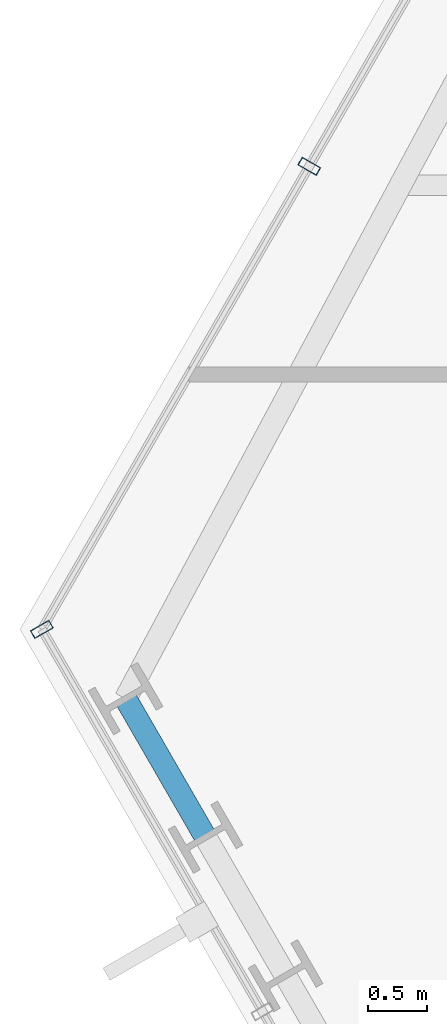
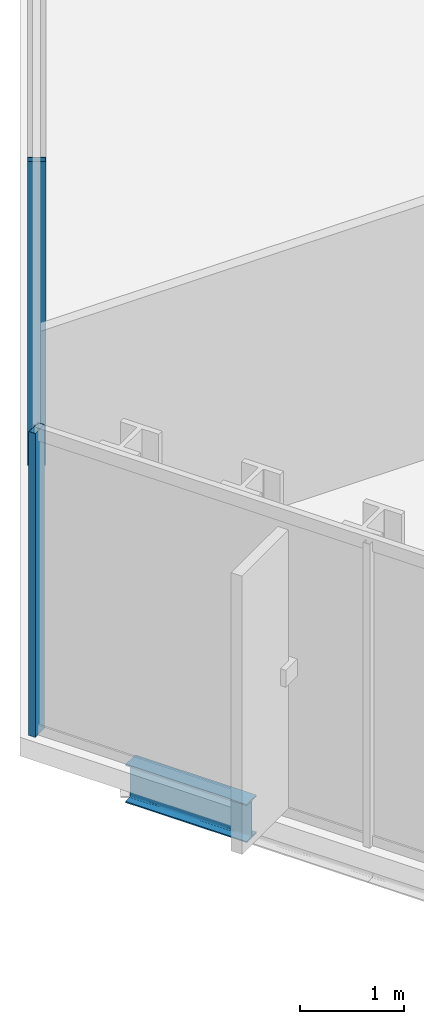
# One storey, part 5 of 33: 2 members, 1 beam, 2 elements without a shape of their own.
"""IFC4 building model written with IfcOpenShell, lengths in metres."""

import ifcopenshell
import ifcopenshell.guid

model = None  # the IFC model being written
_history = None  # IfcOwnerHistory: only IFC2X3 demands one
_inside = {}  # id of a spatial element -> (the spatial element, [elements in it])
_under = {}  # id of a project, library or spatial element -> (it, [spatial elements below it])
_declared = {}  # id of a project -> (the project, [libraries it declares])
_typed = {}  # id of a type object -> (the type object, [elements of that type])
_made_of = {}  # id of a material, layer set ... -> (it, [elements and type objects made of it])


def new_model(schema):
    """Start an empty IFC model of exactly this schema.

    Asked for "IFC4X3", IfcOpenShell would pick the latest addendum, in which some entities
    have other attributes; the version numbers below select the first issue.
    IFC2X3 requires an IfcOwnerHistory on every rooted entity: one is made here for all.
    """
    global model, _history
    if schema == "IFC4X3":
        model = ifcopenshell.file(schema_version=(4, 3, 0, 0))
    else:
        model = ifcopenshell.file(schema=schema)
    _inside.clear()
    _under.clear()
    _declared.clear()
    _typed.clear()
    _made_of.clear()
    _history = None
    if model.schema == "IFC2X3":
        org = make("IfcOrganization", Name="unknown")
        user = make(
            "IfcPersonAndOrganization",
            ThePerson=make("IfcPerson", FamilyName="unknown"),
            TheOrganization=org,
        )
        app = make(
            "IfcApplication",
            ApplicationDeveloper=org,
            Version="unknown",
            ApplicationFullName="unknown",
            ApplicationIdentifier="unknown",
        )
        _history = make(
            "IfcOwnerHistory",
            OwningUser=user,
            OwningApplication=app,
            ChangeAction="ADDED",
            CreationDate=0,
        )
    return model


def make(cls, **values):
    """One entity of the class cls with the attributes given. An attribute that is None is left unset."""
    return model.create_entity(
        cls, **{name: value for name, value in values.items() if value is not None}
    )


def rooted(cls, **values):
    """An entity with a GlobalId (a new one), such as an element, a storey or a relation."""
    return make(cls, GlobalId=ifcopenshell.guid.new(), OwnerHistory=_history, **values)


def si_unit(unit_type, name, prefix=None):
    """IfcSIUnit, for example si_unit("LENGTHUNIT", "METRE", prefix="MILLI")."""
    return make("IfcSIUnit", UnitType=unit_type, Prefix=prefix, Name=name)


def assignment(units):
    """IfcUnitAssignment: the units of a project."""
    return None if units is None else make("IfcUnitAssignment", Units=units)


def point(xyz):
    """IfcCartesianPoint."""
    return None if xyz is None else make("IfcCartesianPoint", Coordinates=xyz)


def direction(xyz):
    """IfcDirection."""
    return None if xyz is None else make("IfcDirection", DirectionRatios=xyz)


def frame(location, z_axis=None, x_axis=None):
    """IfcAxis2Placement3D, a coordinate frame: its origin and axes. An axis left out is left unset."""
    return make(
        "IfcAxis2Placement3D",
        Location=point(location),
        Axis=direction(z_axis),
        RefDirection=direction(x_axis),
    )


def frame_2d(location, x_axis=None):
    """IfcAxis2Placement2D, a coordinate frame in the plane: its origin and x axis."""
    return make(
        "IfcAxis2Placement2D", Location=point(location), RefDirection=direction(x_axis)
    )


def origin():
    """The frame at (0, 0, 0) with its axes left unset."""
    return frame((0.0, 0.0, 0.0))


def origin_2d():
    """The frame at (0, 0) in the plane with its x axis left unset."""
    return frame_2d((0.0, 0.0))


def place(relative_to, where):
    """IfcLocalPlacement: puts the frame where relative to a parent placement (None: the world)."""
    return make(
        "IfcLocalPlacement", PlacementRelTo=relative_to, RelativePlacement=where
    )


def context(
    kind, dimensions, precision=None, world=None, true_north=None, identifier=None
):
    """IfcGeometricRepresentationContext, for example the 3D "Model" context."""
    return make(
        "IfcGeometricRepresentationContext",
        ContextIdentifier=identifier,
        ContextType=kind,
        CoordinateSpaceDimension=dimensions,
        Precision=precision,
        WorldCoordinateSystem=world,
        TrueNorth=true_north,
    )


def subcontext(parent, identifier, kind, view, scale=None):
    """IfcGeometricRepresentationSubContext, for example "Body" below "Model"."""
    return make(
        "IfcGeometricRepresentationSubContext",
        ContextIdentifier=identifier,
        ContextType=kind,
        ParentContext=parent,
        TargetScale=scale,
        TargetView=view,
    )


def project(units=None, contexts=None):
    """IfcProject with its units and contexts."""
    return rooted(
        "IfcProject",
        Name="project",
        RepresentationContexts=contexts,
        UnitsInContext=assignment(units),
    )


def spatial(cls, under=None, at=None, **own):
    """A site, building, storey or space (cls), placed at a placement, below another one or the project."""
    s = rooted(cls, ObjectPlacement=at, **own)
    if under is not None:
        _under.setdefault(under.id(), (under, []))[1].append(s)
    return s


def profile(cls, at=None, kind="AREA", **sizes):
    """A parametric profile (cls). Its sizes go by their IFC names, for example OverallWidth=200.0."""
    return make(cls, ProfileType=kind, Position=at, **sizes)


def hollow_rectangle(**sizes):
    """IfcRectangleHollowProfileDef."""
    return profile("IfcRectangleHollowProfileDef", **sizes)


def i_section(**sizes):
    """IfcIShapeProfileDef."""
    return profile("IfcIShapeProfileDef", **sizes)


def extrude(swept, where, along, depth):
    """IfcExtrudedAreaSolid: the profile swept, set in the frame where, extruded along a direction by depth."""
    return make(
        "IfcExtrudedAreaSolid",
        SweptArea=swept,
        Position=where,
        ExtrudedDirection=direction(along),
        Depth=depth,
    )


def shape(context_of_items, identifier, shape_type, items):
    """IfcShapeRepresentation: the items that make up one representation, for example the "Body"."""
    return make(
        "IfcShapeRepresentation",
        ContextOfItems=context_of_items,
        RepresentationIdentifier=identifier,
        RepresentationType=shape_type,
        Items=items,
    )


def material(Name=None, Category=None):
    """IfcMaterial."""
    return make("IfcMaterial", Name=Name, Category=Category)


def layer(
    of_material, thickness, ventilated=None, Name=None, Category=None, Priority=None
):
    """IfcMaterialLayer: one layer of a wall or slab, of a material (None: an air gap)."""
    return make(
        "IfcMaterialLayer",
        Material=of_material,
        LayerThickness=thickness,
        IsVentilated=ventilated,
        Name=Name,
        Category=Category,
        Priority=Priority,
    )


def layer_set(layers, Name=None):
    """IfcMaterialLayerSet."""
    return make("IfcMaterialLayerSet", MaterialLayers=layers, LayerSetName=Name)


def material_profile(
    of_material, cross_section, Name=None, Category=None, Priority=None
):
    """IfcMaterialProfile: a cross section and its material."""
    return make(
        "IfcMaterialProfile",
        Name=Name,
        Material=of_material,
        Profile=cross_section,
        Priority=Priority,
        Category=Category,
    )


def profile_set(profiles, Name=None, composite=None):
    """IfcMaterialProfileSet."""
    return make(
        "IfcMaterialProfileSet",
        Name=Name,
        MaterialProfiles=profiles,
        CompositeProfile=composite,
    )


def made_of(thing, what):
    """Note that an element or type object is made of a material, layer set ...; save() writes the relation."""
    if what is not None:
        _made_of.setdefault(what.id(), (what, []))[1].append(thing)
    return thing


def type_object(cls, material=None, **own):
    """A type object (cls), such as IfcWallType, which elements share."""
    return made_of(rooted(cls, **own), material)


def element(
    cls,
    number,
    at=None,
    inside=None,
    cuts=None,
    type_object=None,
    material=None,
    context=None,
    identifier="Body",
    shape_type=None,
    held_by="IfcProductDefinitionShape",
    body=None,
    shapes=None,
    **own,
):
    """One element of the class cls, such as IfcWall. Its Tag is "e" and its number.

    at: its placement. inside: the storey or other place that contains it. cuts: it is an
    opening in that element (IfcRelVoidsElement). A single representation is given by context,
    identifier, shape_type and body (its items); several are given by shapes. held_by: the class
    of the entity that holds the representations. save() writes the other relations.
    """
    e = rooted(cls, Tag="e%d" % number, ObjectPlacement=at, **own)
    if body is not None:
        shapes = [shape(context, identifier, shape_type, body)]
    if shapes is not None:
        e.Representation = make(held_by, Representations=shapes)
    if inside is not None:
        _inside.setdefault(inside.id(), (inside, []))[1].append(e)
    if cuts is not None:
        rooted(
            "IfcRelVoidsElement", RelatingBuildingElement=cuts, RelatedOpeningElement=e
        )
    if type_object is not None:
        _typed.setdefault(type_object.id(), (type_object, []))[1].append(e)
    return made_of(e, material)


def aggregate(whole, parts):
    """IfcRelAggregates: a whole, such as a stair, and the parts it consists of."""
    return rooted("IfcRelAggregates", RelatingObject=whole, RelatedObjects=parts)


def save(model, path):
    """Write the relations noted so far, then the file.

    IfcRelAggregates (storeys below a building ...), IfcRelContainedInSpatialStructure (elements
    in a storey), IfcRelDefinesByType, IfcRelAssociatesMaterial and IfcRelDeclares: one each for
    every whole, place, type object, material and project.
    """
    for whole, parts in _under.values():
        aggregate(whole, parts)
    for where, things in _inside.values():
        rooted(
            "IfcRelContainedInSpatialStructure",
            RelatedElements=things,
            RelatingStructure=where,
        )
    for kind, things in _typed.values():
        rooted("IfcRelDefinesByType", RelatedObjects=things, RelatingType=kind)
    for what, things in _made_of.values():
        rooted("IfcRelAssociatesMaterial", RelatedObjects=things, RelatingMaterial=what)
    for by, libraries in _declared.values():
        rooted("IfcRelDeclares", RelatingContext=by, RelatedDefinitions=libraries)
    model.write(path)


model = new_model("IFC4")

# Units and contexts
model_context = context("Model", 3, precision=1e-05, world=origin(), true_north=direction((0.0, 1.0)))
body_context = subcontext(model_context, "Body", "Model", "MODEL_VIEW")
ifc_project = project(units=[si_unit("LENGTHUNIT", "METRE"), si_unit("AREAUNIT", "SQUARE_METRE"), si_unit("VOLUMEUNIT", "CUBIC_METRE"), si_unit("PLANEANGLEUNIT", "RADIAN"), si_unit("MASSUNIT", "GRAM", prefix="KILO")], contexts=[model_context])

# Site, building, storey
site_placement = place(None, origin())
site = spatial("IfcSite", under=ifc_project, at=site_placement, CompositionType="ELEMENT")
building_placement = place(site_placement, origin())
building = spatial("IfcBuilding", under=site, at=building_placement, Name="Ndaravel Arena Tower", CompositionType="ELEMENT")
storey_placement = place(building_placement, frame((0.0, 0.0, 153.60009765625)))
storey = spatial("IfcBuildingStorey", under=building, at=storey_placement, Name="L36", CompositionType="ELEMENT", Elevation=153.60009765625)

# Beam
ifc_material_1 = material(Name="Steel S355", Category="steel")
ifc_material_profile_1 = material_profile(ifc_material_1, i_section(OverallWidth=0.18994140625, OverallDepth=0.449951171875, WebThickness=0.009521484375, FlangeThickness=0.0146484375, FilletRadius=0.02099609375, at=origin_2d()), Name="IPE 450")
ifc_profile_set_1 = profile_set([ifc_material_profile_1], Name="Steel S355")
beam_type = type_object("IfcBeamType", Name="BM-SPAN-IPE450", PredefinedType="SPANDREL", material=ifc_profile_set_1)
beam_placement = place(storey_placement, frame((19.039794921875, 14.260009765625, -0.445068359375), z_axis=(0.49994655361, -0.866056258873, 0.0), x_axis=(0.866056258873, 0.49994655361, 0.0)))
element("IfcBeam", 1, at=beam_placement, inside=storey, type_object=beam_type, Name="L36 Perimeter Spandrel Beam SP-20", PredefinedType="SPANDREL", context=body_context, shape_type="SweptSolid", body=[
    extrude(i_section(OverallWidth=0.18994140625, OverallDepth=0.449951171875, WebThickness=0.009521484375, FlangeThickness=0.0146484375, FilletRadius=0.02099609375, at=origin_2d()), origin(), (0.0, 0.0, 1.0), 1.351806640625),
])

# Curtain wall, member
ifc_material_2 = material(Name="Aluminium", Category="aluminium")
ifc_layer_1 = layer(ifc_material_2, 0.179931640625)
ifc_layer_set_1 = layer_set([ifc_layer_1], Name="Aluminium")
curtain_wall_type_1 = type_object("IfcCurtainWallType", Name="CW-SYS-03", PredefinedType="NOTDEFINED", material=ifc_layer_set_1)
curtain_wall_1_placement = place(storey_placement, origin())
curtain_wall_1 = element("IfcCurtainWall", 2, at=curtain_wall_1_placement, inside=storey, type_object=curtain_wall_type_1, Name="L36 Faceted Crystal Curtain Wall CW-L36-E05", PredefinedType="NOTDEFINED")
ifc_material_3 = material(Name="Aluminium", Category="aluminium")
ifc_material_profile_2 = material_profile(ifc_material_3, hollow_rectangle(XDim=0.074951171875, YDim=0.179931640625, WallThickness=0.00390625, at=origin_2d()), Name="CW MULLION 75x180x4")
ifc_profile_set_2 = profile_set([ifc_material_profile_2], Name="Aluminium")
member_type = type_object("IfcMemberType", Name="MEM-CW-MUL180", PredefinedType="MULLION", material=ifc_profile_set_2)
member_1_placement = place(storey_placement, frame((20.591796875, 18.7587890625, 0.0), z_axis=(0.0, 0.0, 1.0), x_axis=(-0.5, -0.866025403784, 0.0)))
member_1 = element("IfcMember", 3, at=member_1_placement, type_object=member_type, Name="CW-L36-E05 Mullion 07", PredefinedType="MULLION", context=body_context, shape_type="SweptSolid", body=[
    extrude(hollow_rectangle(XDim=0.074951171875, YDim=0.179931640625, WallThickness=0.00390625, at=origin_2d()), origin(), (0.0, 0.0, 1.0), 3.579833984375),
])
aggregate(curtain_wall_1, [member_1])

ifc_material_4 = material(Name="Aluminium", Category="aluminium")
ifc_layer_2 = layer(ifc_material_4, 0.179931640625)
ifc_layer_set_2 = layer_set([ifc_layer_2], Name="Aluminium")
curtain_wall_type_2 = type_object("IfcCurtainWallType", Name="CW-SYS-02", PredefinedType="NOTDEFINED", material=ifc_layer_set_2)
curtain_wall_2_placement = place(storey_placement, origin())
curtain_wall_2 = element("IfcCurtainWall", 4, at=curtain_wall_2_placement, inside=storey, type_object=curtain_wall_type_2, Name="L36 Faceted Crystal Curtain Wall CW-L36-E06", PredefinedType="NOTDEFINED")
member_2_placement = place(storey_placement, frame((18.332275390625, 14.845458984375, 0.0), z_axis=(0.0, 0.0, 1.0), x_axis=(0.5, -0.866025403784, 0.0)))
member_2 = element("IfcMember", 5, at=member_2_placement, type_object=member_type, Name="CW-L36-E06 Mullion 00", PredefinedType="MULLION", context=body_context, shape_type="SweptSolid", body=[
    extrude(hollow_rectangle(XDim=0.074951171875, YDim=0.179931640625, WallThickness=0.00390625, at=origin_2d()), origin(), (0.0, 0.0, 1.0), 3.579833984375),
])
aggregate(curtain_wall_2, [member_2])

save(model, "model.ifc")
